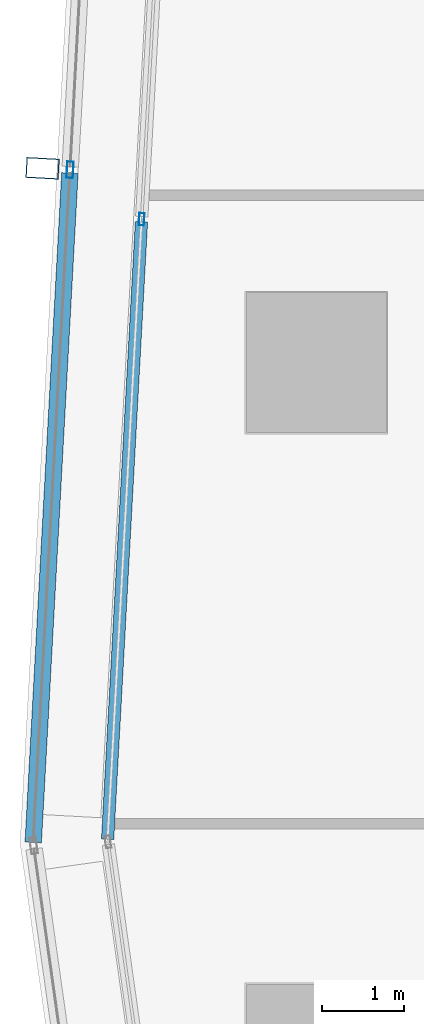
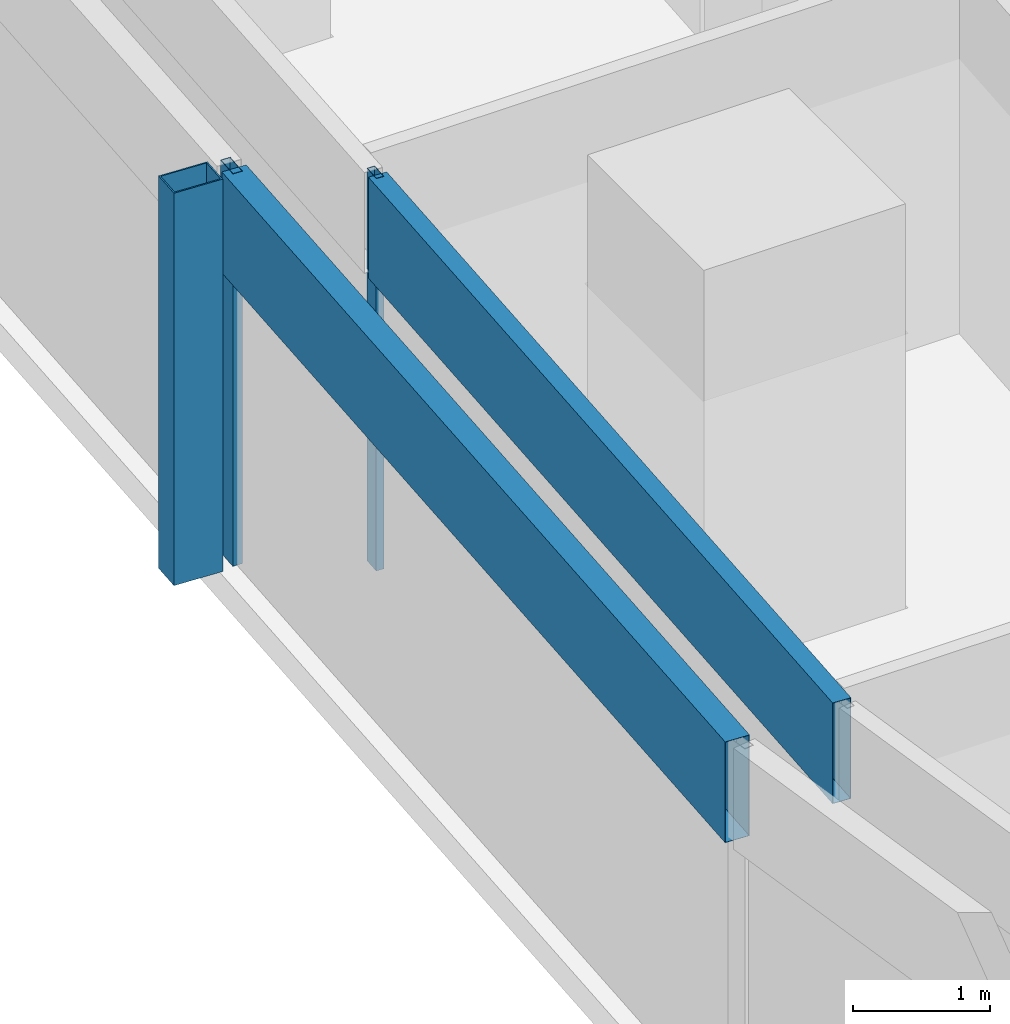
# One storey, part 7 of 40: 5 members, 2 elements without a shape of their own.
"""IFC4 building model written with IfcOpenShell, lengths in metres."""

from ifc_helpers import new_model, si_unit, direction, frame, origin, origin_2d, place, context, subcontext, project, spatial, hollow_rectangle, extrude, material, material_profile, profile_set, type_object, element, aggregate, save


model = new_model("IFC4")

# Units and contexts
model_context = context("Model", 3, precision=1e-05, world=origin(), true_north=direction((0.0, 1.0)))
body_context = subcontext(model_context, "Body", "Model", "MODEL_VIEW")
ifc_project = project(units=[si_unit("LENGTHUNIT", "METRE"), si_unit("AREAUNIT", "SQUARE_METRE"), si_unit("VOLUMEUNIT", "CUBIC_METRE"), si_unit("PLANEANGLEUNIT", "RADIAN"), si_unit("MASSUNIT", "GRAM", prefix="KILO")], contexts=[model_context])

# Site, building, storey
site_placement = place(None, origin())
site = spatial("IfcSite", under=ifc_project, at=site_placement, CompositionType="ELEMENT")
building_placement = place(site_placement, origin())
building = spatial("IfcBuilding", under=site, at=building_placement, Name="Rekha Terrace Tower", CompositionType="ELEMENT")
storey_placement = place(building_placement, frame((0.0, 0.0, 136.550048828125)))
storey = spatial("IfcBuildingStorey", under=building, at=storey_placement, Name="L34", CompositionType="ELEMENT", Elevation=136.550048828125)

# Curtain wall, member
ifc_material_1 = material(Name="Aluminium framing", Category="aluminium")
curtain_wall_type_1 = type_object("IfcCurtainWallType", Name="CW2 double skin outer glazing", PredefinedType="USERDEFINED", material=ifc_material_1)
curtain_wall_1_placement = place(storey_placement, origin())
curtain_wall_1 = element("IfcCurtainWall", 1, at=curtain_wall_1_placement, inside=storey, type_object=curtain_wall_type_1, Name="CW2 double skin outer glazing", ObjectType="DOUBLE SKIN OUTER GLAZING", PredefinedType="USERDEFINED")
ifc_material_2 = material(Name="Steel S355 with fluorocarbon finish", Category="steel")
ifc_material_profile_1 = material_profile(ifc_material_2, hollow_rectangle(XDim=0.25, YDim=0.39990234375, WallThickness=0.012451171875, at=origin_2d()), Name="RHS400x250x12.5")
ifc_profile_set_1 = profile_set([ifc_material_profile_1], Name="Steel S355 with fluorocarbon finish")
member_type_1 = type_object("IfcMemberType", Name="BL1 facade blade RHS 400 x 250", PredefinedType="USERDEFINED", material=ifc_profile_set_1)
member_1_placement = place(storey_placement, frame((5.073974609375, 35.9609375, 0.0), z_axis=(0.0, 0.0, 1.0), x_axis=(-0.054742798353, -0.998500488747, 0.0)))
member_1 = element("IfcMember", 2, at=member_1_placement, type_object=member_type_1, Name="Facade blade", ObjectType="FACADE BLADE", PredefinedType="USERDEFINED", context=body_context, shape_type="SweptSolid", body=[
    extrude(hollow_rectangle(XDim=0.25, YDim=0.39990234375, WallThickness=0.012451171875, at=origin_2d()), origin(), (0.0, 0.0, 1.0), 3.5),
])

# Curtain wall, members
curtain_wall_type_2 = type_object("IfcCurtainWallType", Name="CW1 double skin inner glazing", PredefinedType="USERDEFINED", material=ifc_material_1)
curtain_wall_2_placement = place(storey_placement, origin())
curtain_wall_2 = element("IfcCurtainWall", 3, at=curtain_wall_2_placement, inside=storey, type_object=curtain_wall_type_2, Name="CW1 double skin inner glazing", ObjectType="DOUBLE SKIN INNER GLAZING", PredefinedType="USERDEFINED")
ifc_material_3 = material(Name="Aluminium mullion section", Category="aluminium")
ifc_material_profile_2 = material_profile(ifc_material_3, hollow_rectangle(XDim=0.06494140625, YDim=0.14990234375, WallThickness=0.00390625, at=origin_2d()), Name="AL RHS 65x150")
ifc_profile_set_2 = profile_set([ifc_material_profile_2], Name="Aluminium mullion section")
member_type_2 = type_object("IfcMemberType", Name="CW1 mullion RHS 65 x 150", PredefinedType="MULLION", material=ifc_profile_set_2)
member_2_placement = place(storey_placement, frame((6.27685546875, 35.343017578125, 0.0), z_axis=(0.0, 0.0, 1.0), x_axis=(0.99850051318, -0.054742352707, 0.0)))
member_2 = element("IfcMember", 4, at=member_2_placement, type_object=member_type_2, Name="CW1 mullion 4", PredefinedType="MULLION", context=body_context, shape_type="SweptSolid", body=[
    extrude(hollow_rectangle(XDim=0.06494140625, YDim=0.14990234375, WallThickness=0.00390625, at=origin_2d()), origin(), (0.0, 0.0, 1.0), 3.5),
])
ifc_material_4 = material(Name="Insulated aluminium spandrel box", Category="aluminium")
ifc_material_profile_3 = material_profile(ifc_material_4, hollow_rectangle(XDim=0.14990234375, YDim=0.89990234375, WallThickness=0.0029296875, at=origin_2d()), Name="AL SPANDREL BOX 150x900")
ifc_profile_set_3 = profile_set([ifc_material_profile_3], Name="Insulated aluminium spandrel box")
member_type_3 = type_object("IfcMemberType", Name="CW1 spandrel transom 150 x 900", PredefinedType="USERDEFINED", material=ifc_profile_set_3)
member_3_placement = place(storey_placement, frame((6.275146484375, 35.310546875, 3.050048828125), z_axis=(-0.054756855706, -0.998499717953, 0.0), x_axis=(0.998499717953, -0.054756855706, 0.0)))
member_3 = element("IfcMember", 5, at=member_3_placement, type_object=member_type_3, Name="CW1 spandrel transom 4", ObjectType="TRANSOM", PredefinedType="USERDEFINED", context=body_context, shape_type="SweptSolid", body=[
    extrude(hollow_rectangle(XDim=0.14990234375, YDim=0.89990234375, WallThickness=0.0029296875, at=origin_2d()), origin(), (0.0, 0.0, 1.0), 7.50830078125),
])
aggregate(curtain_wall_2, [member_2, member_3])

# Member
ifc_material_profile_4 = material_profile(ifc_material_3, hollow_rectangle(XDim=0.080078125, YDim=0.199951171875, WallThickness=0.00390625, at=origin_2d()), Name="AL RHS 80x200")
ifc_profile_set_4 = profile_set([ifc_material_profile_4], Name="Aluminium mullion section")
member_type_4 = type_object("IfcMemberType", Name="CW2 mullion RHS 80 x 200", PredefinedType="MULLION", material=ifc_profile_set_4)
member_4_placement = place(storey_placement, frame((5.408447265625, 35.942626953125, 0.0), z_axis=(0.0, 0.0, 1.0), x_axis=(0.99850051318, -0.054742352707, 0.0)))
member_4 = element("IfcMember", 6, at=member_4_placement, type_object=member_type_4, Name="CW2 mullion 4", PredefinedType="MULLION", context=body_context, shape_type="SweptSolid", body=[
    extrude(hollow_rectangle(XDim=0.080078125, YDim=0.199951171875, WallThickness=0.00390625, at=origin_2d()), origin(), (0.0, 0.0, 1.0), 3.5),
])

ifc_material_profile_5 = material_profile(ifc_material_4, hollow_rectangle(XDim=0.199951171875, YDim=0.89990234375, WallThickness=0.0029296875, at=origin_2d()), Name="AL SPANDREL BOX 200x900")
ifc_profile_set_5 = profile_set([ifc_material_profile_5], Name="Insulated aluminium spandrel box")
member_type_5 = type_object("IfcMemberType", Name="CW2 spandrel transom 200 x 900", PredefinedType="USERDEFINED", material=ifc_profile_set_5)
member_5_placement = place(storey_placement, frame((5.40625, 35.902587890625, 3.050048828125), z_axis=(-0.054737434401, -0.998500782812, 0.0), x_axis=(0.998500782812, -0.054737434401, 0.0)))
member_5 = element("IfcMember", 7, at=member_5_placement, type_object=member_type_5, Name="CW2 spandrel transom 4", ObjectType="TRANSOM", PredefinedType="USERDEFINED", context=body_context, shape_type="SweptSolid", body=[
    extrude(hollow_rectangle(XDim=0.199951171875, YDim=0.89990234375, WallThickness=0.0029296875, at=origin_2d()), origin(), (0.0, 0.0, 1.0), 8.139892578125),
])

aggregate(curtain_wall_1, [member_4, member_5, member_1])

save(model, "model.ifc")
